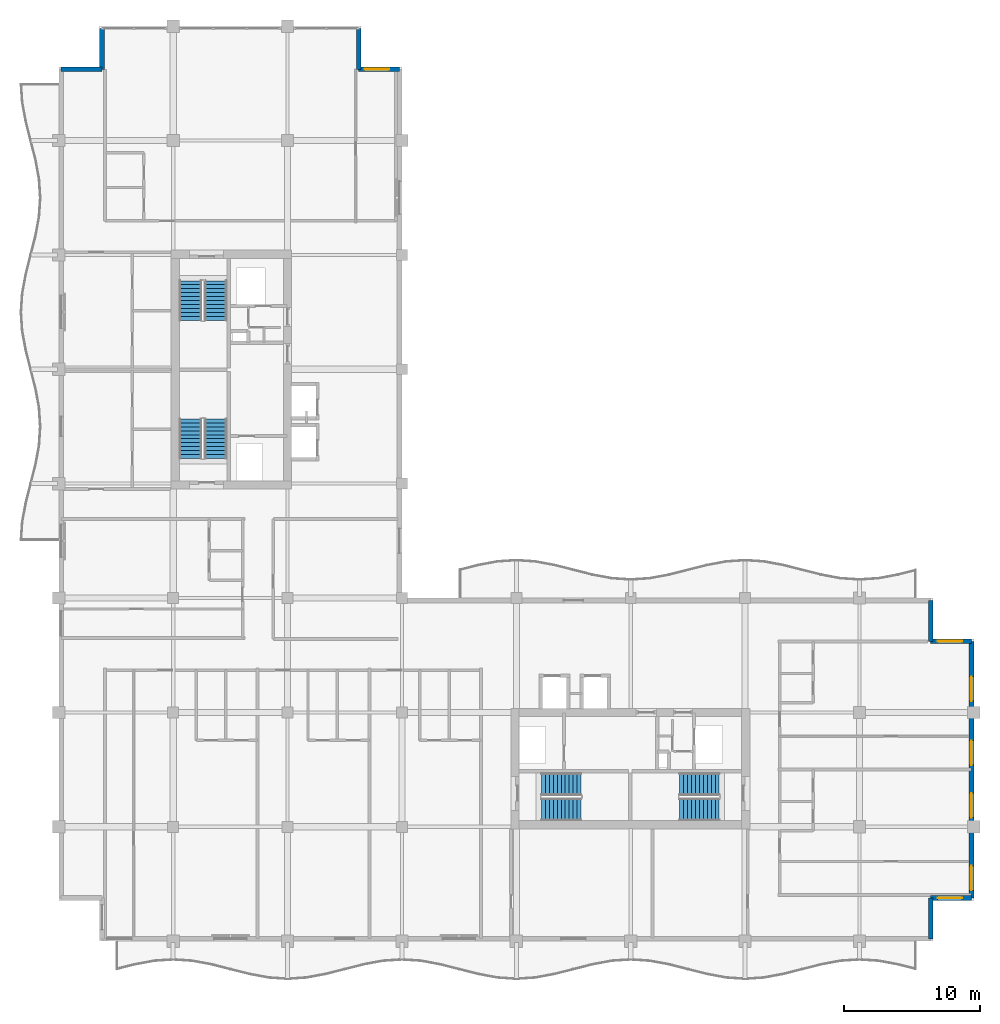
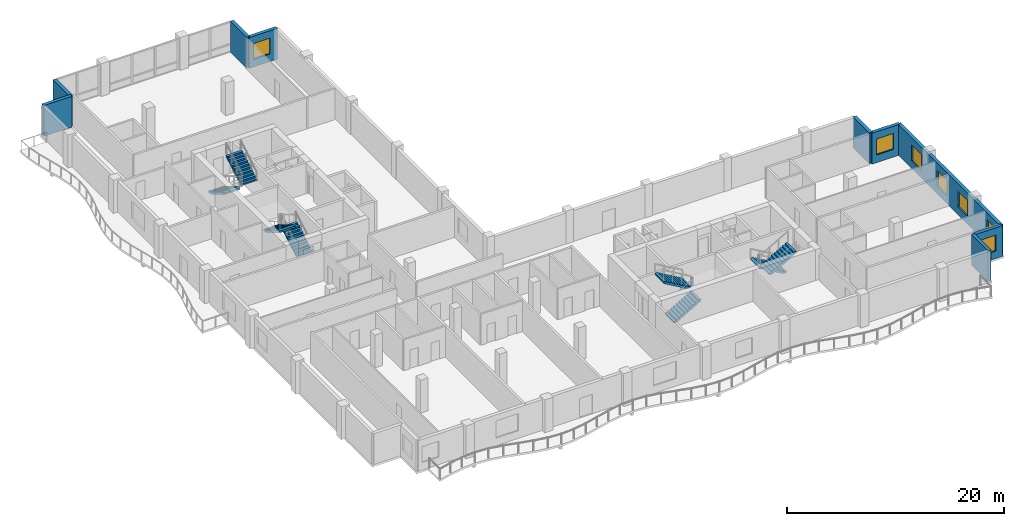
# One storey, part 11 of 16: 9 walls, 8 stair flights, 7 windows, 7 openings, 4 elements without a shape of their own.
"""IFC4 building model written with IfcOpenShell, lengths in metres."""

from ifc_helpers import new_model, si_unit, direction, frame, frame_2d, origin, place, context, subcontext, project, spatial, polyline, rectangle, outline, extrude, material, layer, layer_set, type_object, element, fill, aggregate, save


model = new_model("IFC4")

# Units and contexts
model_context = context("Model", 3, precision=1e-05, world=origin(), true_north=direction((0.0, 1.0)))
body_context = subcontext(model_context, "Body", "Model", "MODEL_VIEW")
ifc_project = project(units=[si_unit("LENGTHUNIT", "METRE"), si_unit("AREAUNIT", "SQUARE_METRE"), si_unit("VOLUMEUNIT", "CUBIC_METRE"), si_unit("PLANEANGLEUNIT", "RADIAN"), si_unit("MASSUNIT", "GRAM", prefix="KILO")], contexts=[model_context])

# Site, building, storey
site_placement = place(None, origin())
site = spatial("IfcSite", under=ifc_project, at=site_placement, CompositionType="ELEMENT")
building_placement = place(site_placement, origin())
building = spatial("IfcBuilding", under=site, at=building_placement, Name="Koriwani Terraces Tower", CompositionType="ELEMENT")
storey_placement = place(building_placement, frame((0.0, 0.0, 252.699951171875)))
storey = spatial("IfcBuildingStorey", under=building, at=storey_placement, Name="L62", CompositionType="ELEMENT", Elevation=252.699951171875)

# Walls
ifc_material_1 = material(Name="Concrete C50/60", Category="concrete")
ifc_layer = layer(ifc_material_1, 0.35009765625, Name="Concrete C50/60")
ifc_layer_set = layer_set([ifc_layer], Name="Concrete C50/60")
wall_type = type_object("IfcWallType", Name="WALL_EXT_BRUTALIST_350", PredefinedType="STANDARD", material=ifc_layer_set)
for number, where, z_axis, x_axis, name in (
    (1, (8.574951171875, 72.425048828125, 0.0), (0.0, 0.0, 1.0), (1.0, 0.0, 0.0), "L62 Fair-Faced Brutalist Exterior Wall (N3)"),
    (2, (11.574951171875, 72.425048828125, 0.0), (0.0, 0.0, 1.0), (0.0, 1.0, 0.0), "L62 Fair-Faced Brutalist Exterior Wall (N4)"),
    (3, (30.425048828125, 75.425048828125, 0.0), (0.0, 0.0, 1.0), (0.0, -1.0, 0.0), "L62 Fair-Faced Brutalist Exterior Wall (N6)"),
):
    element("IfcWall", number, at=place(storey_placement, frame(where, z_axis=z_axis, x_axis=x_axis)), inside=storey, type_object=wall_type, Name=name, PredefinedType="STANDARD", context=body_context, shape_type="SweptSolid", body=[
        extrude(rectangle(XDim=3.0, YDim=0.35009765625, at=frame_2d((1.5, 0.0))), origin(), (0.0, 0.0, 1.0), 3.469970703125),
    ])

# Wall, opening, window
wall_1_placement = place(storey_placement, frame((30.425048828125, 72.425048828125, 0.0), z_axis=(0.0, 0.0, 1.0), x_axis=(1.0, 0.0, 0.0)))
wall_1 = element("IfcWall", 4, at=wall_1_placement, inside=storey, type_object=wall_type, Name="L62 Fair-Faced Brutalist Exterior Wall (N7)", PredefinedType="STANDARD", context=body_context, shape_type="SweptSolid", body=[
    extrude(rectangle(XDim=3.0, YDim=0.35009765625, at=frame_2d((1.5, 0.0))), origin(), (0.0, 0.0, 1.0), 3.469970703125),
])
opening_1_placement = place(wall_1_placement, frame((0.4375, 0.0, 0.85009765625)))
opening_1 = element("IfcOpeningElement", 5, at=opening_1_placement, cuts=wall_1, Name="Opening W-04", PredefinedType="OPENING", context=body_context, shape_type="SweptSolid", body=[
    extrude(rectangle(XDim=1.800048828125, YDim=1.800048828125, at=frame_2d((0.89990234375, 0.89990234375))), frame((0.0, 0.18505859375, 0.0), z_axis=(0.0, -1.0, 0.0), x_axis=(1.0, 0.0, 0.0)), (0.0, 0.0, 1.0), 0.3701171875),
])
ifc_material_2 = material(Name="Tempered Laminated Low-E Glass", Category="glass")
window_type = type_object("IfcWindowType", Name="WIN_RES_BED_1800X1800", PartitioningType="DOUBLE_PANEL_VERTICAL", PredefinedType="WINDOW", material=ifc_material_2)
window_1_placement = place(opening_1_placement, origin())
window_1 = element("IfcWindow", 6, at=window_1_placement, inside=storey, type_object=window_type, Name="L62 Exterior Window (N7-R47)", OverallHeight=1.800048828125, OverallWidth=1.800048828125, PartitioningType="SINGLE_PANEL", PredefinedType="WINDOW", context=body_context, shape_type="SweptSolid", body=[
    extrude(rectangle(XDim=1.800048828125, YDim=1.800048828125, at=frame_2d((0.89990234375, 0.89990234375))), frame((0.0, 0.030029296875, 0.0), z_axis=(0.0, -1.0, 0.0), x_axis=(1.0, 0.0, 0.0)), (0.0, 0.0, 1.0), 0.06005859375),
])
fill(opening_1, window_1)

# Wall
wall_2_placement = place(storey_placement, frame((72.425048828125, 33.425048828125, 0.0), z_axis=(0.0, 0.0, 1.0), x_axis=(0.0, -1.0, 0.0)))
element("IfcWall", 7, at=wall_2_placement, inside=storey, type_object=wall_type, Name="L62 Fair-Faced Brutalist Exterior Wall (N10)", PredefinedType="STANDARD", context=body_context, shape_type="SweptSolid", body=[
    extrude(rectangle(XDim=3.0, YDim=0.35009765625, at=frame_2d((1.5, 0.0))), origin(), (0.0, 0.0, 1.0), 3.469970703125),
])

# Wall, opening, window
wall_3_placement = place(storey_placement, frame((72.425048828125, 30.425048828125, 0.0), z_axis=(0.0, 0.0, 1.0), x_axis=(1.0, 0.0, 0.0)))
wall_3 = element("IfcWall", 8, at=wall_3_placement, inside=storey, type_object=wall_type, Name="L62 Fair-Faced Brutalist Exterior Wall (N11)", PredefinedType="STANDARD", context=body_context, shape_type="SweptSolid", body=[
    extrude(rectangle(XDim=3.0, YDim=0.35009765625, at=frame_2d((1.5, 0.0))), origin(), (0.0, 0.0, 1.0), 3.469970703125),
])
opening_2_placement = place(wall_3_placement, frame((0.507568359375, 0.0, 0.85009765625)))
opening_2 = element("IfcOpeningElement", 9, at=opening_2_placement, cuts=wall_3, Name="Opening W-04", PredefinedType="OPENING", context=body_context, shape_type="SweptSolid", body=[
    extrude(rectangle(XDim=1.800048828125, YDim=1.800048828125, at=frame_2d((0.89990234375, 0.89990234375))), frame((0.0, 0.18505859375, 0.0), z_axis=(0.0, -1.0, 0.0), x_axis=(1.0, 0.0, 0.0)), (0.0, 0.0, 1.0), 0.3701171875),
])
window_2_placement = place(opening_2_placement, origin())
window_2 = element("IfcWindow", 10, at=window_2_placement, inside=storey, type_object=window_type, Name="L62 Exterior Window (N11-R56)", OverallHeight=1.800048828125, OverallWidth=1.800048828125, PartitioningType="SINGLE_PANEL", PredefinedType="WINDOW", context=body_context, shape_type="SweptSolid", body=[
    extrude(rectangle(XDim=1.800048828125, YDim=1.800048828125, at=frame_2d((0.89990234375, 0.89990234375))), frame((0.0, 0.030029296875, 0.0), z_axis=(0.0, -1.0, 0.0), x_axis=(1.0, 0.0, 0.0)), (0.0, 0.0, 1.0), 0.06005859375),
])
fill(opening_2, window_2)

# Wall, openings, windows
wall_4_placement = place(storey_placement, frame((75.425048828125, 30.425048828125, 0.0), z_axis=(0.0, 0.0, 1.0), x_axis=(0.0, -1.0, 0.0)))
wall_4 = element("IfcWall", 11, at=wall_4_placement, inside=storey, type_object=wall_type, Name="L62 Fair-Faced Brutalist Exterior Wall (E_TIP)", PredefinedType="STANDARD", context=body_context, shape_type="SweptSolid", body=[
    extrude(rectangle(XDim=18.85009765625, YDim=0.35009765625, at=frame_2d((9.425048828125, 0.0))), origin(), (0.0, 0.0, 1.0), 3.469970703125),
])
opening_3_placement = place(wall_4_placement, frame((16.5, 0.0, 0.85009765625)))
opening_3 = element("IfcOpeningElement", 12, at=opening_3_placement, cuts=wall_4, Name="Opening W-04", PredefinedType="OPENING", context=body_context, shape_type="SweptSolid", body=[
    extrude(rectangle(XDim=1.800048828125, YDim=1.800048828125, at=frame_2d((0.89990234375, 0.89990234375))), frame((0.0, 0.18505859375, 0.0), z_axis=(0.0, -1.0, 0.0), x_axis=(1.0, 0.0, 0.0)), (0.0, 0.0, 1.0), 0.3701171875),
])
opening_4_placement = place(wall_4_placement, frame((11.14990234375, 0.0, 0.85009765625)))
opening_4 = element("IfcOpeningElement", 13, at=opening_4_placement, cuts=wall_4, Name="Opening W-04", PredefinedType="OPENING", context=body_context, shape_type="SweptSolid", body=[
    extrude(rectangle(XDim=1.800048828125, YDim=1.800048828125, at=frame_2d((0.89990234375, 0.89990234375))), frame((0.0, 0.18505859375, 0.0), z_axis=(0.0, -1.0, 0.0), x_axis=(1.0, 0.0, 0.0)), (0.0, 0.0, 1.0), 0.3701171875),
])
opening_5_placement = place(wall_4_placement, frame((7.300048828125, 0.0, 0.85009765625)))
opening_5 = element("IfcOpeningElement", 14, at=opening_5_placement, cuts=wall_4, Name="Opening W-04", PredefinedType="OPENING", context=body_context, shape_type="SweptSolid", body=[
    extrude(rectangle(XDim=1.800048828125, YDim=1.800048828125, at=frame_2d((0.89990234375, 0.89990234375))), frame((0.0, 0.18505859375, 0.0), z_axis=(0.0, -1.0, 0.0), x_axis=(1.0, 0.0, 0.0)), (0.0, 0.0, 1.0), 0.3701171875),
])
opening_6_placement = place(wall_4_placement, frame((2.60009765625, 0.0, 0.85009765625)))
opening_6 = element("IfcOpeningElement", 15, at=opening_6_placement, cuts=wall_4, Name="Opening W-04", PredefinedType="OPENING", context=body_context, shape_type="SweptSolid", body=[
    extrude(rectangle(XDim=1.800048828125, YDim=1.800048828125, at=frame_2d((0.89990234375, 0.89990234375))), frame((0.0, 0.18505859375, 0.0), z_axis=(0.0, -1.0, 0.0), x_axis=(1.0, 0.0, 0.0)), (0.0, 0.0, 1.0), 0.3701171875),
])
window_3_placement = place(opening_3_placement, origin())
window_3 = element("IfcWindow", 16, at=window_3_placement, inside=storey, type_object=window_type, Name="L62 Exterior Window (E_TIP-R51)", OverallHeight=1.800048828125, OverallWidth=1.800048828125, PartitioningType="SINGLE_PANEL", PredefinedType="WINDOW", context=body_context, shape_type="SweptSolid", body=[
    extrude(rectangle(XDim=1.800048828125, YDim=1.800048828125, at=frame_2d((0.89990234375, 0.89990234375))), frame((0.0, 0.030029296875, 0.0), z_axis=(0.0, -1.0, 0.0), x_axis=(1.0, 0.0, 0.0)), (0.0, 0.0, 1.0), 0.06005859375),
])
fill(opening_3, window_3)
window_4_placement = place(opening_4_placement, origin())
window_4 = element("IfcWindow", 17, at=window_4_placement, inside=storey, type_object=window_type, Name="L62 Exterior Window (E_TIP-R52)", OverallHeight=1.800048828125, OverallWidth=1.800048828125, PartitioningType="SINGLE_PANEL", PredefinedType="WINDOW", context=body_context, shape_type="SweptSolid", body=[
    extrude(rectangle(XDim=1.800048828125, YDim=1.800048828125, at=frame_2d((0.89990234375, 0.89990234375))), frame((0.0, 0.030029296875, 0.0), z_axis=(0.0, -1.0, 0.0), x_axis=(1.0, 0.0, 0.0)), (0.0, 0.0, 1.0), 0.06005859375),
])
fill(opening_4, window_4)
window_5_placement = place(opening_5_placement, origin())
window_5 = element("IfcWindow", 18, at=window_5_placement, inside=storey, type_object=window_type, Name="L62 Exterior Window (E_TIP-R55)", OverallHeight=1.800048828125, OverallWidth=1.800048828125, PartitioningType="SINGLE_PANEL", PredefinedType="WINDOW", context=body_context, shape_type="SweptSolid", body=[
    extrude(rectangle(XDim=1.800048828125, YDim=1.800048828125, at=frame_2d((0.89990234375, 0.89990234375))), frame((0.0, 0.030029296875, 0.0), z_axis=(0.0, -1.0, 0.0), x_axis=(1.0, 0.0, 0.0)), (0.0, 0.0, 1.0), 0.06005859375),
])
fill(opening_5, window_5)
window_6_placement = place(opening_6_placement, origin())
window_6 = element("IfcWindow", 19, at=window_6_placement, inside=storey, type_object=window_type, Name="L62 Exterior Window (E_TIP-R56)", OverallHeight=1.800048828125, OverallWidth=1.800048828125, PartitioningType="SINGLE_PANEL", PredefinedType="WINDOW", context=body_context, shape_type="SweptSolid", body=[
    extrude(rectangle(XDim=1.800048828125, YDim=1.800048828125, at=frame_2d((0.89990234375, 0.89990234375))), frame((0.0, 0.030029296875, 0.0), z_axis=(0.0, -1.0, 0.0), x_axis=(1.0, 0.0, 0.0)), (0.0, 0.0, 1.0), 0.06005859375),
])
fill(opening_6, window_6)

# Wall, opening, window
wall_5_placement = place(storey_placement, frame((75.425048828125, 11.574951171875, 0.0), z_axis=(0.0, 0.0, 1.0), x_axis=(-1.0, 0.0, 0.0)))
wall_5 = element("IfcWall", 20, at=wall_5_placement, inside=storey, type_object=wall_type, Name="L62 Fair-Faced Brutalist Exterior Wall (N13)", PredefinedType="STANDARD", context=body_context, shape_type="SweptSolid", body=[
    extrude(rectangle(XDim=3.0, YDim=0.35009765625, at=frame_2d((1.5, 0.0))), origin(), (0.0, 0.0, 1.0), 3.469970703125),
])
opening_7_placement = place(wall_5_placement, frame((0.6923828125, 0.0, 0.85009765625)))
opening_7 = element("IfcOpeningElement", 21, at=opening_7_placement, cuts=wall_5, Name="Opening W-04", PredefinedType="OPENING", context=body_context, shape_type="SweptSolid", body=[
    extrude(rectangle(XDim=1.800048828125, YDim=1.800048828125, at=frame_2d((0.89990234375, 0.89990234375))), frame((0.0, 0.18505859375, 0.0), z_axis=(0.0, -1.0, 0.0), x_axis=(1.0, 0.0, 0.0)), (0.0, 0.0, 1.0), 0.3701171875),
])
window_7_placement = place(opening_7_placement, origin())
window_7 = element("IfcWindow", 22, at=window_7_placement, inside=storey, type_object=window_type, Name="L62 Exterior Window (N13-R51)", OverallHeight=1.800048828125, OverallWidth=1.800048828125, PartitioningType="SINGLE_PANEL", PredefinedType="WINDOW", context=body_context, shape_type="SweptSolid", body=[
    extrude(rectangle(XDim=1.800048828125, YDim=1.800048828125, at=frame_2d((0.89990234375, 0.89990234375))), frame((0.0, 0.030029296875, 0.0), z_axis=(0.0, -1.0, 0.0), x_axis=(1.0, 0.0, 0.0)), (0.0, 0.0, 1.0), 0.06005859375),
])
fill(opening_7, window_7)

# Wall
wall_6_placement = place(storey_placement, frame((72.425048828125, 11.574951171875, 0.0), z_axis=(0.0, 0.0, 1.0), x_axis=(0.0, -1.0, 0.0)))
element("IfcWall", 23, at=wall_6_placement, inside=storey, type_object=wall_type, Name="L62 Fair-Faced Brutalist Exterior Wall (N14)", PredefinedType="STANDARD", context=body_context, shape_type="SweptSolid", body=[
    extrude(rectangle(XDim=3.0, YDim=0.35009765625, at=frame_2d((1.5, 0.0))), origin(), (0.0, 0.0, 1.0), 3.469970703125),
])

# Stair, stair flights
ifc_material_3 = material(Name="Concrete C40/50", Category="concrete")
stair_type = type_object("IfcStairType", Name="STAIR_CORE_DOGLEG_1650", PredefinedType="TWO_STRAIGHT_RUN_STAIR", material=ifc_material_3)
stair_1_placement = place(storey_placement, origin())
stair_1 = element("IfcStair", 24, at=stair_1_placement, inside=storey, type_object=stair_type, Name="L62 West Core Exit Stair 1", PredefinedType="HALF_TURN_STAIR")
stair_flight_type = type_object("IfcStairFlightType", Name="STAIR_FLIGHT_RC_1650", PredefinedType="STRAIGHT", material=ifc_material_3)
stair_flight_1_placement = place(storey_placement, frame((19.925048828125, 43.85009765625, 0.0), z_axis=(0.0, 0.0, 1.0), x_axis=(0.0, 1.0, 0.0)))
stair_flight_1 = element("IfcStairFlight", 25, at=stair_flight_1_placement, type_object=stair_flight_type, Name="ST-W1 flight 1", NumberOfRisers=11, NumberOfTreads=10, PredefinedType="STRAIGHT", RiserHeight=0.168181818, TreadLength=0.29, context=body_context, shape_type="SweptSolid", body=[
    extrude(outline(polyline([(0.0, 0.0), (0.0, 0.168212890625), (0.2900390625, 0.168212890625), (0.2900390625, 0.33642578125), (0.580078125, 0.33642578125), (0.580078125, 0.504638671875), (0.8701171875, 0.504638671875), (0.8701171875, 0.672607421875), (1.159912109375, 0.672607421875), (1.159912109375, 0.8408203125), (1.449951171875, 0.8408203125), (1.449951171875, 1.009033203125), (1.739990234375, 1.009033203125), (1.739990234375, 1.17724609375), (2.030029296875, 1.17724609375), (2.030029296875, 1.345458984375), (2.320068359375, 1.345458984375), (2.320068359375, 1.513671875), (2.610107421875, 1.513671875), (2.610107421875, 1.681884765625), (2.89990234375, 1.681884765625), (2.89990234375, 1.85009765625), (2.89990234375, 1.473876953125), (0.358642578125, 0.0), (0.0, 0.0)])), frame((0.0, 0.824951171875, 0.0), z_axis=(0.0, -1.0, 0.0), x_axis=(1.0, 0.0, 0.0)), (0.0, 0.0, 1.0), 1.64990234375),
])
stair_flight_2_placement = place(storey_placement, frame((18.074951171875, 46.75, 1.85009765625), z_axis=(0.0, 0.0, 1.0), x_axis=(0.0, -1.0, 0.0)))
stair_flight_2 = element("IfcStairFlight", 26, at=stair_flight_2_placement, type_object=stair_flight_type, Name="ST-W1 flight 2", NumberOfRisers=11, NumberOfTreads=10, PredefinedType="STRAIGHT", RiserHeight=0.168181818, TreadLength=0.29, context=body_context, shape_type="SweptSolid", body=[
    extrude(outline(polyline([(0.0, 0.0), (0.0, 0.168212890625), (0.2900390625, 0.168212890625), (0.2900390625, 0.33642578125), (0.580078125, 0.33642578125), (0.580078125, 0.504638671875), (0.8701171875, 0.504638671875), (0.8701171875, 0.672607421875), (1.159912109375, 0.672607421875), (1.159912109375, 0.8408203125), (1.449951171875, 0.8408203125), (1.449951171875, 1.009033203125), (1.739990234375, 1.009033203125), (1.739990234375, 1.17724609375), (2.030029296875, 1.17724609375), (2.030029296875, 1.345458984375), (2.320068359375, 1.345458984375), (2.320068359375, 1.513671875), (2.610107421875, 1.513671875), (2.610107421875, 1.681884765625), (2.89990234375, 1.681884765625), (2.89990234375, 1.85009765625), (2.89990234375, 1.473876953125), (0.358642578125, 0.0), (0.0, 0.0)])), frame((0.0, 0.824951171875, 0.0), z_axis=(0.0, -1.0, 0.0), x_axis=(1.0, 0.0, 0.0)), (0.0, 0.0, 1.0), 1.64990234375),
])
aggregate(stair_1, [stair_flight_1, stair_flight_2])

stair_2_placement = place(storey_placement, origin())
stair_2 = element("IfcStair", 27, at=stair_2_placement, inside=storey, type_object=stair_type, Name="L62 West Core Exit Stair 2", PredefinedType="HALF_TURN_STAIR")
stair_flight_3_placement = place(storey_placement, frame((18.074951171875, 56.89990234375, 0.0), z_axis=(0.0, 0.0, 1.0), x_axis=(0.0, -1.0, 0.0)))
stair_flight_3 = element("IfcStairFlight", 28, at=stair_flight_3_placement, type_object=stair_flight_type, Name="ST-W2 flight 1", NumberOfRisers=11, NumberOfTreads=10, PredefinedType="STRAIGHT", RiserHeight=0.168181818, TreadLength=0.29, context=body_context, shape_type="SweptSolid", body=[
    extrude(outline(polyline([(0.0, 0.0), (0.0, 0.168212890625), (0.2900390625, 0.168212890625), (0.2900390625, 0.33642578125), (0.580078125, 0.33642578125), (0.580078125, 0.504638671875), (0.8701171875, 0.504638671875), (0.8701171875, 0.672607421875), (1.159912109375, 0.672607421875), (1.159912109375, 0.8408203125), (1.449951171875, 0.8408203125), (1.449951171875, 1.009033203125), (1.739990234375, 1.009033203125), (1.739990234375, 1.17724609375), (2.030029296875, 1.17724609375), (2.030029296875, 1.345458984375), (2.320068359375, 1.345458984375), (2.320068359375, 1.513671875), (2.610107421875, 1.513671875), (2.610107421875, 1.681884765625), (2.89990234375, 1.681884765625), (2.89990234375, 1.85009765625), (2.89990234375, 1.473876953125), (0.358642578125, 0.0), (0.0, 0.0)])), frame((0.0, 0.824951171875, 0.0), z_axis=(0.0, -1.0, 0.0), x_axis=(1.0, 0.0, 0.0)), (0.0, 0.0, 1.0), 1.64990234375),
])
stair_flight_4_placement = place(storey_placement, frame((19.925048828125, 54.0, 1.85009765625), z_axis=(0.0, 0.0, 1.0), x_axis=(0.0, 1.0, 0.0)))
stair_flight_4 = element("IfcStairFlight", 29, at=stair_flight_4_placement, type_object=stair_flight_type, Name="ST-W2 flight 2", NumberOfRisers=11, NumberOfTreads=10, PredefinedType="STRAIGHT", RiserHeight=0.168181818, TreadLength=0.29, context=body_context, shape_type="SweptSolid", body=[
    extrude(outline(polyline([(0.0, 0.0), (0.0, 0.168212890625), (0.2900390625, 0.168212890625), (0.2900390625, 0.33642578125), (0.580078125, 0.33642578125), (0.580078125, 0.504638671875), (0.8701171875, 0.504638671875), (0.8701171875, 0.672607421875), (1.159912109375, 0.672607421875), (1.159912109375, 0.8408203125), (1.449951171875, 0.8408203125), (1.449951171875, 1.009033203125), (1.739990234375, 1.009033203125), (1.739990234375, 1.17724609375), (2.030029296875, 1.17724609375), (2.030029296875, 1.345458984375), (2.320068359375, 1.345458984375), (2.320068359375, 1.513671875), (2.610107421875, 1.513671875), (2.610107421875, 1.681884765625), (2.89990234375, 1.681884765625), (2.89990234375, 1.85009765625), (2.89990234375, 1.473876953125), (0.358642578125, 0.0), (0.0, 0.0)])), frame((0.0, 0.824951171875, 0.0), z_axis=(0.0, -1.0, 0.0), x_axis=(1.0, 0.0, 0.0)), (0.0, 0.0, 1.0), 1.64990234375),
])
aggregate(stair_2, [stair_flight_3, stair_flight_4])

stair_3_placement = place(storey_placement, origin())
stair_3 = element("IfcStair", 30, at=stair_3_placement, inside=storey, type_object=stair_type, Name="L62 East Core Exit Stair 1", PredefinedType="HALF_TURN_STAIR")
stair_flight_5_placement = place(storey_placement, frame((43.85009765625, 18.074951171875, 0.0), z_axis=(0.0, 0.0, 1.0), x_axis=(1.0, 0.0, 0.0)))
stair_flight_5 = element("IfcStairFlight", 31, at=stair_flight_5_placement, type_object=stair_flight_type, Name="ST-E1 flight 1", NumberOfRisers=11, NumberOfTreads=10, PredefinedType="STRAIGHT", RiserHeight=0.168181818, TreadLength=0.29, context=body_context, shape_type="SweptSolid", body=[
    extrude(outline(polyline([(0.0, 0.0), (0.0, 0.168212890625), (0.2900390625, 0.168212890625), (0.2900390625, 0.33642578125), (0.580078125, 0.33642578125), (0.580078125, 0.504638671875), (0.8701171875, 0.504638671875), (0.8701171875, 0.672607421875), (1.159912109375, 0.672607421875), (1.159912109375, 0.8408203125), (1.449951171875, 0.8408203125), (1.449951171875, 1.009033203125), (1.739990234375, 1.009033203125), (1.739990234375, 1.17724609375), (2.030029296875, 1.17724609375), (2.030029296875, 1.345458984375), (2.320068359375, 1.345458984375), (2.320068359375, 1.513671875), (2.610107421875, 1.513671875), (2.610107421875, 1.681884765625), (2.89990234375, 1.681884765625), (2.89990234375, 1.85009765625), (2.89990234375, 1.473876953125), (0.358642578125, 0.0), (0.0, 0.0)])), frame((0.0, 0.824951171875, 0.0), z_axis=(0.0, -1.0, 0.0), x_axis=(1.0, 0.0, 0.0)), (0.0, 0.0, 1.0), 1.64990234375),
])
stair_flight_6_placement = place(storey_placement, frame((46.75, 19.925048828125, 1.85009765625), z_axis=(0.0, 0.0, 1.0), x_axis=(-1.0, 0.0, 0.0)))
stair_flight_6 = element("IfcStairFlight", 32, at=stair_flight_6_placement, type_object=stair_flight_type, Name="ST-E1 flight 2", NumberOfRisers=11, NumberOfTreads=10, PredefinedType="STRAIGHT", RiserHeight=0.168181818, TreadLength=0.29, context=body_context, shape_type="SweptSolid", body=[
    extrude(outline(polyline([(0.0, 0.0), (0.0, 0.168212890625), (0.2900390625, 0.168212890625), (0.2900390625, 0.33642578125), (0.580078125, 0.33642578125), (0.580078125, 0.504638671875), (0.8701171875, 0.504638671875), (0.8701171875, 0.672607421875), (1.159912109375, 0.672607421875), (1.159912109375, 0.8408203125), (1.449951171875, 0.8408203125), (1.449951171875, 1.009033203125), (1.739990234375, 1.009033203125), (1.739990234375, 1.17724609375), (2.030029296875, 1.17724609375), (2.030029296875, 1.345458984375), (2.320068359375, 1.345458984375), (2.320068359375, 1.513671875), (2.610107421875, 1.513671875), (2.610107421875, 1.681884765625), (2.89990234375, 1.681884765625), (2.89990234375, 1.85009765625), (2.89990234375, 1.473876953125), (0.358642578125, 0.0), (0.0, 0.0)])), frame((0.0, 0.824951171875, 0.0), z_axis=(0.0, -1.0, 0.0), x_axis=(1.0, 0.0, 0.0)), (0.0, 0.0, 1.0), 1.64990234375),
])
aggregate(stair_3, [stair_flight_5, stair_flight_6])

stair_4_placement = place(storey_placement, origin())
stair_4 = element("IfcStair", 33, at=stair_4_placement, inside=storey, type_object=stair_type, Name="L62 East Core Exit Stair 2", PredefinedType="HALF_TURN_STAIR")
stair_flight_7_placement = place(storey_placement, frame((56.89990234375, 19.925048828125, 0.0), z_axis=(0.0, 0.0, 1.0), x_axis=(-1.0, 0.0, 0.0)))
stair_flight_7 = element("IfcStairFlight", 34, at=stair_flight_7_placement, type_object=stair_flight_type, Name="ST-E2 flight 1", NumberOfRisers=11, NumberOfTreads=10, PredefinedType="STRAIGHT", RiserHeight=0.168181818, TreadLength=0.29, context=body_context, shape_type="SweptSolid", body=[
    extrude(outline(polyline([(0.0, 0.0), (0.0, 0.168212890625), (0.2900390625, 0.168212890625), (0.2900390625, 0.33642578125), (0.580078125, 0.33642578125), (0.580078125, 0.504638671875), (0.8701171875, 0.504638671875), (0.8701171875, 0.672607421875), (1.159912109375, 0.672607421875), (1.159912109375, 0.8408203125), (1.449951171875, 0.8408203125), (1.449951171875, 1.009033203125), (1.739990234375, 1.009033203125), (1.739990234375, 1.17724609375), (2.030029296875, 1.17724609375), (2.030029296875, 1.345458984375), (2.320068359375, 1.345458984375), (2.320068359375, 1.513671875), (2.610107421875, 1.513671875), (2.610107421875, 1.681884765625), (2.89990234375, 1.681884765625), (2.89990234375, 1.85009765625), (2.89990234375, 1.473876953125), (0.358642578125, 0.0), (0.0, 0.0)])), frame((0.0, 0.824951171875, 0.0), z_axis=(0.0, -1.0, 0.0), x_axis=(1.0, 0.0, 0.0)), (0.0, 0.0, 1.0), 1.64990234375),
])
stair_flight_8_placement = place(storey_placement, frame((54.0, 18.074951171875, 1.85009765625), z_axis=(0.0, 0.0, 1.0), x_axis=(1.0, 0.0, 0.0)))
stair_flight_8 = element("IfcStairFlight", 35, at=stair_flight_8_placement, type_object=stair_flight_type, Name="ST-E2 flight 2", NumberOfRisers=11, NumberOfTreads=10, PredefinedType="STRAIGHT", RiserHeight=0.168181818, TreadLength=0.29, context=body_context, shape_type="SweptSolid", body=[
    extrude(outline(polyline([(0.0, 0.0), (0.0, 0.168212890625), (0.2900390625, 0.168212890625), (0.2900390625, 0.33642578125), (0.580078125, 0.33642578125), (0.580078125, 0.504638671875), (0.8701171875, 0.504638671875), (0.8701171875, 0.672607421875), (1.159912109375, 0.672607421875), (1.159912109375, 0.8408203125), (1.449951171875, 0.8408203125), (1.449951171875, 1.009033203125), (1.739990234375, 1.009033203125), (1.739990234375, 1.17724609375), (2.030029296875, 1.17724609375), (2.030029296875, 1.345458984375), (2.320068359375, 1.345458984375), (2.320068359375, 1.513671875), (2.610107421875, 1.513671875), (2.610107421875, 1.681884765625), (2.89990234375, 1.681884765625), (2.89990234375, 1.85009765625), (2.89990234375, 1.473876953125), (0.358642578125, 0.0), (0.0, 0.0)])), frame((0.0, 0.824951171875, 0.0), z_axis=(0.0, -1.0, 0.0), x_axis=(1.0, 0.0, 0.0)), (0.0, 0.0, 1.0), 1.64990234375),
])
aggregate(stair_4, [stair_flight_7, stair_flight_8])

save(model, "model.ifc")
